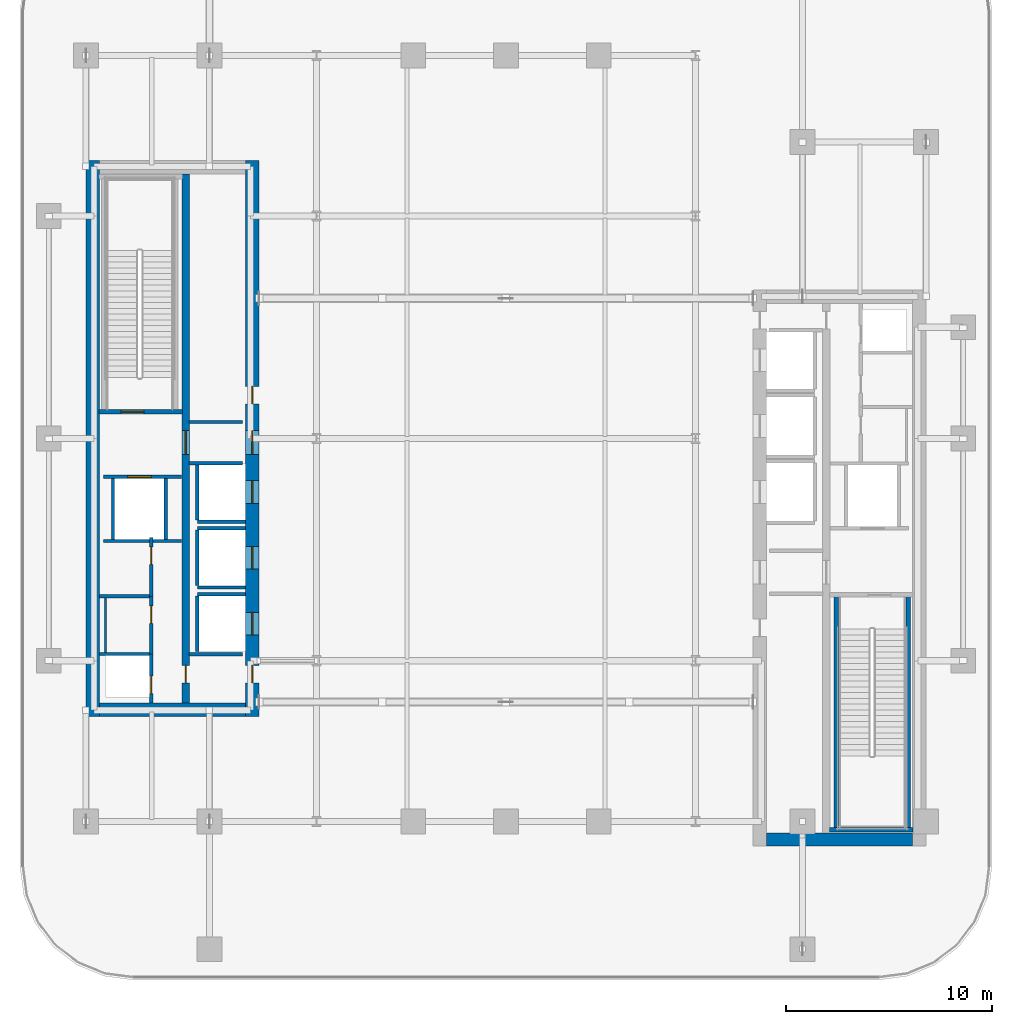
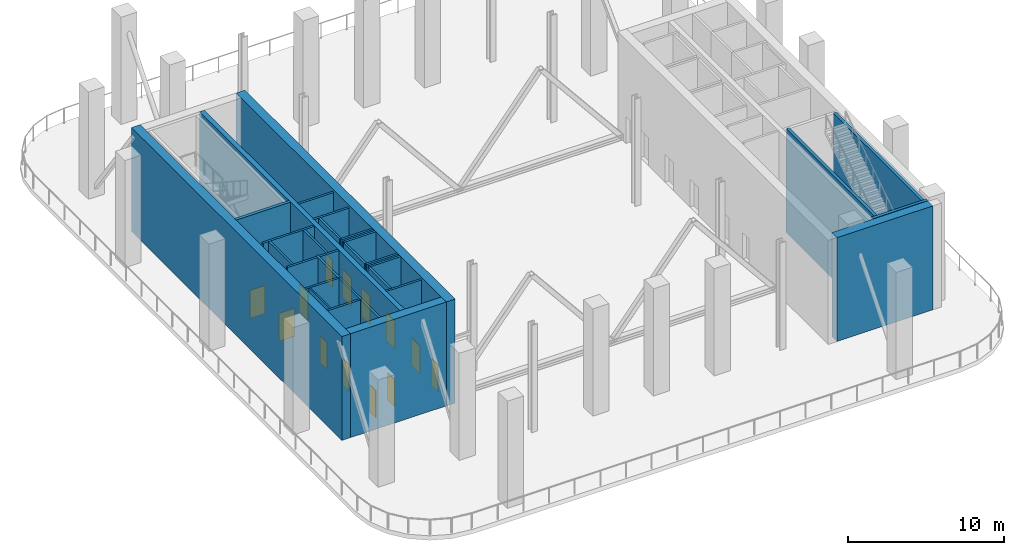
# One storey, part 5 of 13: 29 walls, 13 doors, 13 openings.
"""IFC4 building model written with IfcOpenShell, lengths in metres."""

from ifc_helpers import new_model, si_unit, direction, frame, frame_2d, origin, place, context, subcontext, project, spatial, rectangle, extrude, material, layer, layer_set, type_object, element, fill, save


model = new_model("IFC4")

# Units and contexts
model_context = context("Model", 3, precision=1e-05, world=origin(), true_north=direction((0.0, 1.0)))
body_context = subcontext(model_context, "Body", "Model", "MODEL_VIEW")
ifc_project = project(units=[si_unit("LENGTHUNIT", "METRE"), si_unit("AREAUNIT", "SQUARE_METRE"), si_unit("VOLUMEUNIT", "CUBIC_METRE"), si_unit("PLANEANGLEUNIT", "RADIAN"), si_unit("MASSUNIT", "GRAM", prefix="KILO")], contexts=[model_context])

# Site, building, storey
site_placement = place(None, origin())
site = spatial("IfcSite", under=ifc_project, at=site_placement, CompositionType="ELEMENT")
building_placement = place(site_placement, origin())
building = spatial("IfcBuilding", under=site, at=building_placement, Name="Khairoan Windgate Tower", CompositionType="ELEMENT")
storey_placement = place(building_placement, frame((0.0, 0.0, 152.0)))
storey = spatial("IfcBuildingStorey", under=building, at=storey_placement, Name="L35", CompositionType="ELEMENT", Elevation=152.0)

# Walls
ifc_material_1 = material(Name="Moisture-Resistant Gypsum Partition", Category="gypsum")
ifc_layer_1 = layer(ifc_material_1, 0.10009765625, Name="Moisture-Resistant Gypsum Partition")
ifc_layer_set_1 = layer_set([ifc_layer_1], Name="Moisture-Resistant Gypsum Partition")
wall_type_1 = type_object("IfcWallType", Name="Bathroom Wet-Area Partition Wall", PredefinedType="PARTITIONING", material=ifc_layer_set_1)
wall_1_placement = place(storey_placement, frame((-19.449951171875, -10.389892578125, 0.0), z_axis=(0.0, 0.0, 1.0), x_axis=(0.0, 1.0, 0.0)))
element("IfcWall", 1, at=wall_1_placement, inside=storey, type_object=wall_type_1, Name="L35 Wet Room Side Wall 011", PredefinedType="PARTITIONING", context=body_context, shape_type="SweptSolid", body=[
    extrude(rectangle(XDim=2.639892578125, YDim=0.10009765625, at=frame_2d((1.31982421875, 0.0))), origin(), (0.0, 0.0, 1.0), 8.139892578125),
])
ifc_material_2 = material(Name="Concrete C40/50", Category="concrete")
ifc_layer_2 = layer(ifc_material_2, 0.159912109375, Name="Concrete C40/50")
ifc_layer_set_2 = layer_set([ifc_layer_2], Name="Concrete C40/50")
wall_type_2 = type_object("IfcWallType", Name="Core and Hoistway Enclosure Wall", PredefinedType="STANDARD", material=ifc_layer_set_2)
wall_2_placement = place(storey_placement, frame((-14.989990234375, -4.0400390625, 0.0), z_axis=(0.0, 0.0, 1.0), x_axis=(1.0, 0.0, 0.0)))
element("IfcWall", 2, at=wall_2_placement, inside=storey, type_object=wall_type_2, Name="L35 Lift PL4 Hoistway Divider S", PredefinedType="STANDARD", context=body_context, shape_type="SweptSolid", body=[
    extrude(rectangle(XDim=2.340087890625, YDim=0.159912109375, at=frame_2d((1.169921875, 0.0))), origin(), (0.0, 0.0, 1.0), 8.139892578125),
])
wall_3_placement = place(storey_placement, frame((-14.989990234375, -3.949951171875, 0.0), z_axis=(0.0, 0.0, 1.0), x_axis=(0.0, 1.0, 0.0)))
element("IfcWall", 3, at=wall_3_placement, inside=storey, type_object=wall_type_2, Name="L35 Lift PL4 Hoistway Back Wall", PredefinedType="STANDARD", context=body_context, shape_type="SweptSolid", body=[
    extrude(rectangle(XDim=2.699951171875, YDim=0.159912109375, at=frame_2d((1.35009765625, 0.0))), origin(), (0.0, 0.0, 1.0), 8.139892578125),
])
for number, where, z_axis, x_axis, name in (
    (4, (-14.989990234375, -7.239990234375, 0.0), (0.0, 0.0, 1.0), (1.0, 0.0, 0.0), "L35 Lift PL5 Hoistway Divider S"),
    (5, (-14.989990234375, -4.360107421875, 0.0), (0.0, 0.0, 1.0), (1.0, 0.0, 0.0), "L35 Lift PL5 Hoistway Divider N"),
):
    element("IfcWall", number, at=place(storey_placement, frame(where, z_axis=z_axis, x_axis=x_axis)), inside=storey, type_object=wall_type_2, Name=name, PredefinedType="STANDARD", context=body_context, shape_type="SweptSolid", body=[
        extrude(rectangle(XDim=2.340087890625, YDim=0.159912109375, at=frame_2d((1.169921875, 0.0))), origin(), (0.0, 0.0, 1.0), 8.139892578125),
    ])
wall_4_placement = place(storey_placement, frame((-14.989990234375, -7.14990234375, 0.0), z_axis=(0.0, 0.0, 1.0), x_axis=(0.0, 1.0, 0.0)))
element("IfcWall", 6, at=wall_4_placement, inside=storey, type_object=wall_type_2, Name="L35 Lift PL5 Hoistway Back Wall", PredefinedType="STANDARD", context=body_context, shape_type="SweptSolid", body=[
    extrude(rectangle(XDim=2.699951171875, YDim=0.159912109375, at=frame_2d((1.35009765625, 0.0))), origin(), (0.0, 0.0, 1.0), 8.139892578125),
])
wall_5_placement = place(storey_placement, frame((-14.989990234375, -7.56005859375, 0.0), z_axis=(0.0, 0.0, 1.0), x_axis=(1.0, 0.0, 0.0)))
element("IfcWall", 7, at=wall_5_placement, inside=storey, type_object=wall_type_2, Name="L35 Lift PL6 Hoistway Divider N", PredefinedType="STANDARD", context=body_context, shape_type="SweptSolid", body=[
    extrude(rectangle(XDim=2.340087890625, YDim=0.159912109375, at=frame_2d((1.169921875, 0.0))), origin(), (0.0, 0.0, 1.0), 8.139892578125),
])
wall_6_placement = place(storey_placement, frame((-14.989990234375, -10.35009765625, 0.0), z_axis=(0.0, 0.0, 1.0), x_axis=(0.0, 1.0, 0.0)))
element("IfcWall", 8, at=wall_6_placement, inside=storey, type_object=wall_type_2, Name="L35 Lift PL6 Hoistway Back Wall", PredefinedType="STANDARD", context=body_context, shape_type="SweptSolid", body=[
    extrude(rectangle(XDim=2.7001953125, YDim=0.159912109375, at=frame_2d((1.35009765625, 0.0))), origin(), (0.0, 0.0, 1.0), 8.139892578125),
])

# Wall, opening, door
wall_7_placement = place(storey_placement, frame((-19.550048828125, -1.860107421875, 0.0), z_axis=(0.0, 0.0, 1.0), x_axis=(1.0, 0.0, 0.0)))
wall_7 = element("IfcWall", 9, at=wall_7_placement, inside=storey, type_object=wall_type_2, Name="L35 Core Shaft Wall SW-FL2-L35", PredefinedType="STANDARD", context=body_context, shape_type="SweptSolid", body=[
    extrude(rectangle(XDim=3.800048828125, YDim=0.159912109375, at=frame_2d((1.89990234375, 0.0))), origin(), (0.0, 0.0, 1.0), 8.139892578125),
])
opening_1_placement = place(wall_7_placement, frame((1.179931640625, 0.0, 0.0)))
opening_1 = element("IfcOpeningElement", 10, at=opening_1_placement, cuts=wall_7, Name="Opening LD-FL", PredefinedType="OPENING", context=body_context, shape_type="SweptSolid", body=[
    extrude(rectangle(XDim=1.14990234375, YDim=2.199951171875, at=frame_2d((0.574951171875, 1.10009765625))), frame((0.0, 0.08984375, 0.0), z_axis=(0.0, -1.0, 0.0), x_axis=(1.0, 0.0, 0.0)), (0.0, 0.0, 1.0), 0.179931640625),
])
ifc_material_3 = material(Name="Steel S355", Category="steel")
door_type_1 = type_object("IfcDoorType", Name="Firefighting Lift Sliding Landing Door LD-FL 1150x2200", OperationType="DOUBLE_DOOR_SLIDING", PredefinedType="DOOR", material=ifc_material_3)
door_1_placement = place(opening_1_placement, origin())
door_1 = element("IfcDoor", 11, at=door_1_placement, inside=storey, type_object=door_type_1, Name="L35 Firefighting Lift FL2 Landing Door", OperationType="DOUBLE_DOOR_SLIDING", OverallHeight=2.199951171875, OverallWidth=1.14990234375, PredefinedType="DOOR", context=body_context, shape_type="SweptSolid", body=[
    extrude(rectangle(XDim=1.14990234375, YDim=2.199951171875, at=frame_2d((0.574951171875, 1.10009765625))), frame((0.0, 0.02490234375, 0.0), z_axis=(0.0, -1.0, 0.0), x_axis=(1.0, 0.0, 0.0)), (0.0, 0.0, 1.0), 0.050048828125),
])
fill(opening_1, door_1)

# Walls
wall_8_placement = place(storey_placement, frame((-19.550048828125, -4.97998046875, 0.0), z_axis=(0.0, 0.0, 1.0), x_axis=(1.0, 0.0, 0.0)))
element("IfcWall", 12, at=wall_8_placement, inside=storey, type_object=wall_type_2, Name="L35 Core Shaft Wall SW-FL2B-L35", PredefinedType="STANDARD", context=body_context, shape_type="SweptSolid", body=[
    extrude(rectangle(XDim=3.800048828125, YDim=0.159912109375, at=frame_2d((1.89990234375, 0.0))), origin(), (0.0, 0.0, 1.0), 8.139892578125),
])
for number, where, z_axis, x_axis, name in (
    (13, (-19.080078125, -4.89990234375, 0.0), (0.0, 0.0, 1.0), (0.0, 1.0, 0.0), "L35 Core Shaft Wall SW-FL2W-L35"),
    (14, (-16.52001953125, -4.89990234375, 0.0), (0.0, 0.0, 1.0), (0.0, 1.0, 0.0), "L35 Core Shaft Wall SW-FL2E-L35"),
):
    element("IfcWall", number, at=place(storey_placement, frame(where, z_axis=z_axis, x_axis=x_axis)), inside=storey, type_object=wall_type_2, Name=name, PredefinedType="STANDARD", context=body_context, shape_type="SweptSolid", body=[
        extrude(rectangle(XDim=2.9599609375, YDim=0.159912109375, at=frame_2d((1.47998046875, 0.0))), origin(), (0.0, 0.0, 1.0), 8.139892578125),
    ])
for number, where, z_axis, x_axis, name in (
    (15, (-15.39990234375, 0.800048828125, 0.0), (0.0, 0.0, 1.0), (1.0, 0.0, 0.0), "L35 Core Shaft Wall SW-WV1-L35"),
    (16, (-15.39990234375, -1.199951171875, 0.0), (0.0, 0.0, 1.0), (1.0, 0.0, 0.0), "L35 Core Shaft Wall SW-WV2-L35"),
    (17, (-15.39990234375, -10.47998046875, 0.0), (0.0, 0.0, 1.0), (1.0, 0.0, 0.0), "L35 Core Shaft Wall SW-WSV-L35"),
):
    element("IfcWall", number, at=place(storey_placement, frame(where, z_axis=z_axis, x_axis=x_axis)), inside=storey, type_object=wall_type_2, Name=name, PredefinedType="STANDARD", context=body_context, shape_type="SweptSolid", body=[
        extrude(rectangle(XDim=2.599853515625, YDim=0.159912109375, at=frame_2d((1.2998046875, 0.0))), origin(), (0.0, 0.0, 1.0), 8.139892578125),
    ])

# Wall, opening, door
ifc_material_4 = material(Name="Concrete C40/50", Category="concrete")
ifc_layer_3 = layer(ifc_material_4, 0.159912109375, Name="Concrete C40/50")
ifc_layer_set_3 = layer_set([ifc_layer_3], Name="Concrete C40/50")
wall_type_3 = type_object("IfcWallType", Name="Plant and Refuge Compartment Wall", PredefinedType="PARTITIONING", material=ifc_layer_set_3)
wall_9_placement = place(storey_placement, frame((-17.22998046875, -12.85009765625, 0.0), z_axis=(0.0, 0.0, 1.0), x_axis=(0.0, 1.0, 0.0)))
wall_9 = element("IfcWall", 18, at=wall_9_placement, inside=storey, type_object=wall_type_3, Name="L35 Interior Partition 001", PredefinedType="PARTITIONING", context=body_context, shape_type="SweptSolid", body=[
    extrude(rectangle(XDim=2.380126953125, YDim=0.159912109375, at=frame_2d((1.18994140625, 0.0))), origin(), (0.0, 0.0, 1.0), 8.139892578125),
])
opening_2_placement = place(wall_9_placement, frame((0.4599609375, 0.0, 0.0)))
opening_2 = element("IfcOpeningElement", 19, at=opening_2_placement, cuts=wall_9, Name="Opening FD-SRV", PredefinedType="OPENING", context=body_context, shape_type="SweptSolid", body=[
    extrude(rectangle(XDim=0.85009765625, YDim=2.10009765625, at=frame_2d((0.425048828125, 1.050048828125))), frame((0.0, 0.08984375, 0.0), z_axis=(0.0, -1.0, 0.0), x_axis=(1.0, 0.0, 0.0)), (0.0, 0.0, 1.0), 0.179931640625),
])
ifc_material_5 = material(Name="Steel S355", Category="steel")
door_type_2 = type_object("IfcDoorType", Name="Core Service and Riser Fire Door FD-SRV 850x2100", OperationType="NOTDEFINED", PredefinedType="DOOR", material=ifc_material_5)
door_2_placement = place(opening_2_placement, origin())
door_2 = element("IfcDoor", 20, at=door_2_placement, inside=storey, type_object=door_type_2, Name="L35 L35-04-L35-05 Door", OperationType="SINGLE_SWING_LEFT", OverallHeight=2.10009765625, OverallWidth=0.85009765625, PredefinedType="DOOR", context=body_context, shape_type="SweptSolid", body=[
    extrude(rectangle(XDim=0.85009765625, YDim=2.10009765625, at=frame_2d((0.425048828125, 1.050048828125))), frame((0.0, 0.02490234375, 0.0), z_axis=(0.0, -1.0, 0.0), x_axis=(1.0, 0.0, 0.0)), (0.0, 0.0, 1.0), 0.050048828125),
])
fill(opening_2, door_2)

wall_10_placement = place(storey_placement, frame((-17.22998046875, -10.469970703125, 0.0), z_axis=(0.0, 0.0, 1.0), x_axis=(0.0, 1.0, 0.0)))
wall_10 = element("IfcWall", 21, at=wall_10_placement, inside=storey, type_object=wall_type_3, Name="L35 Interior Partition 002", PredefinedType="PARTITIONING", context=body_context, shape_type="SweptSolid", body=[
    extrude(rectangle(XDim=2.800048828125, YDim=0.159912109375, at=frame_2d((1.39990234375, 0.0))), origin(), (0.0, 0.0, 1.0), 8.139892578125),
])
opening_3_placement = place(wall_10_placement, frame((1.489990234375, 0.0, 0.0)))
opening_3 = element("IfcOpeningElement", 22, at=opening_3_placement, cuts=wall_10, Name="Opening FD-SRV", PredefinedType="OPENING", context=body_context, shape_type="SweptSolid", body=[
    extrude(rectangle(XDim=0.85009765625, YDim=2.10009765625, at=frame_2d((0.425048828125, 1.050048828125))), frame((0.0, 0.08984375, 0.0), z_axis=(0.0, -1.0, 0.0), x_axis=(1.0, 0.0, 0.0)), (0.0, 0.0, 1.0), 0.179931640625),
])
door_3_placement = place(opening_3_placement, origin())
door_3 = element("IfcDoor", 23, at=door_3_placement, inside=storey, type_object=door_type_2, Name="L35 L35-04-L35-06 Door", OperationType="SINGLE_SWING_RIGHT", OverallHeight=2.10009765625, OverallWidth=0.85009765625, PredefinedType="DOOR", context=body_context, shape_type="SweptSolid", body=[
    extrude(rectangle(XDim=0.85009765625, YDim=2.10009765625, at=frame_2d((0.425048828125, 1.050048828125))), frame((0.0, 0.02490234375, 0.0), z_axis=(0.0, -1.0, 0.0), x_axis=(1.0, 0.0, 0.0)), (0.0, 0.0, 1.0), 0.050048828125),
])
fill(opening_3, door_3)

wall_11_placement = place(storey_placement, frame((-17.22998046875, -7.669921875, 0.0), z_axis=(0.0, 0.0, 1.0), x_axis=(0.0, 1.0, 0.0)))
wall_11 = element("IfcWall", 24, at=wall_11_placement, inside=storey, type_object=wall_type_3, Name="L35 Interior Partition 003", PredefinedType="PARTITIONING", context=body_context, shape_type="SweptSolid", body=[
    extrude(rectangle(XDim=2.85986328125, YDim=0.159912109375, at=frame_2d((1.429931640625, 0.0))), origin(), (0.0, 0.0, 1.0), 8.139892578125),
])
opening_4_placement = place(wall_11_placement, frame((1.550048828125, 0.0, 0.0)))
opening_4 = element("IfcOpeningElement", 25, at=opening_4_placement, cuts=wall_11, Name="Opening FD-SRV", PredefinedType="OPENING", context=body_context, shape_type="SweptSolid", body=[
    extrude(rectangle(XDim=0.85009765625, YDim=2.10009765625, at=frame_2d((0.425048828125, 1.050048828125))), frame((0.0, 0.08984375, 0.0), z_axis=(0.0, -1.0, 0.0), x_axis=(1.0, 0.0, 0.0)), (0.0, 0.0, 1.0), 0.179931640625),
])
door_4_placement = place(opening_4_placement, origin())
door_4 = element("IfcDoor", 26, at=door_4_placement, inside=storey, type_object=door_type_2, Name="L35 L35-04-L35-07 Door", OperationType="SINGLE_SWING_LEFT", OverallHeight=2.10009765625, OverallWidth=0.85009765625, PredefinedType="DOOR", context=body_context, shape_type="SweptSolid", body=[
    extrude(rectangle(XDim=0.85009765625, YDim=2.10009765625, at=frame_2d((0.425048828125, 1.050048828125))), frame((0.0, 0.02490234375, 0.0), z_axis=(0.0, -1.0, 0.0), x_axis=(1.0, 0.0, 0.0)), (0.0, 0.0, 1.0), 0.050048828125),
])
fill(opening_4, door_4)

# Walls
for number, where, z_axis, x_axis, name in (
    (27, (-19.75, -10.469970703125, 0.0), (0.0, 0.0, 1.0), (1.0, 0.0, 0.0), "L35 Interior Partition 004"),
    (28, (-19.75, -7.669921875, 0.0), (0.0, 0.0, 1.0), (1.0, 0.0, 0.0), "L35 Interior Partition 005"),
):
    element("IfcWall", number, at=place(storey_placement, frame(where, z_axis=z_axis, x_axis=x_axis)), inside=storey, type_object=wall_type_3, Name=name, PredefinedType="PARTITIONING", context=body_context, shape_type="SweptSolid", body=[
        extrude(rectangle(XDim=2.43994140625, YDim=0.159912109375, at=frame_2d((1.219970703125, 0.0))), origin(), (0.0, 0.0, 1.0), 8.139892578125),
    ])
ifc_material_6 = material(Name="Concrete C60/75", Category="concrete")
ifc_layer_4 = layer(ifc_material_6, 0.64990234375, Name="Concrete C60/75")
ifc_layer_set_4 = layer_set([ifc_layer_4], Name="Concrete C60/75")
wall_type_4 = type_object("IfcWallType", Name="Shear Wall CW-E2 650mm", PredefinedType="SHEAR", material=ifc_layer_set_4)
wall_12_placement = place(storey_placement, frame((12.64990234375, -19.47509765625, 0.0), z_axis=(0.0, 0.0, 1.0), x_axis=(1.0, 0.0, 0.0)))
element("IfcWall", 29, at=wall_12_placement, inside=storey, type_object=wall_type_4, Name="E Core South Shear Wall L35", PredefinedType="SHEAR", context=body_context, shape_type="SweptSolid", body=[
    extrude(rectangle(XDim=7.10009765625, YDim=0.64990234375, at=frame_2d((3.550048828125, 0.0))), origin(), (0.0, 0.0, 1.0), 8.139892578125),
])
ifc_material_7 = material(Name="Concrete C60/75", Category="concrete")
ifc_layer_5 = layer(ifc_material_7, 0.64990234375, Name="Concrete C60/75")
ifc_layer_set_5 = layer_set([ifc_layer_5], Name="Concrete C60/75")
wall_type_5 = type_object("IfcWallType", Name="Shear Wall CW-W2 650mm", PredefinedType="SHEAR", material=ifc_layer_set_5)
wall_13_placement = place(storey_placement, frame((-20.074951171875, -13.5, 0.0), z_axis=(0.0, 0.0, 1.0), x_axis=(0.0, 1.0, 0.0)))
element("IfcWall", 30, at=wall_13_placement, inside=storey, type_object=wall_type_5, Name="W Core West Shear Wall L35", PredefinedType="SHEAR", context=body_context, shape_type="SweptSolid", body=[
    extrude(rectangle(XDim=27.0, YDim=0.64990234375, at=frame_2d((13.5, 0.0))), origin(), (0.0, 0.0, 1.0), 8.139892578125),
])

# Wall, openings, doors
wall_14_placement = place(storey_placement, frame((-12.324951171875, -13.5, 0.0), z_axis=(0.0, 0.0, 1.0), x_axis=(0.0, 1.0, 0.0)))
wall_14 = element("IfcWall", 31, at=wall_14_placement, inside=storey, type_object=wall_type_5, Name="W Core East Shear Wall L35", PredefinedType="SHEAR", context=body_context, shape_type="SweptSolid", body=[
    extrude(rectangle(XDim=27.0, YDim=0.64990234375, at=frame_2d((13.5, 0.0))), origin(), (0.0, 0.0, 1.0), 8.139892578125),
])
opening_5_placement = place(wall_14_placement, frame((10.35009765625, 0.0, 0.0)))
opening_5 = element("IfcOpeningElement", 32, at=opening_5_placement, cuts=wall_14, Name="Opening LD-PL", PredefinedType="OPENING", context=body_context, shape_type="SweptSolid", body=[
    extrude(rectangle(XDim=1.10009765625, YDim=2.199951171875, at=frame_2d((0.550048828125, 1.10009765625))), frame((0.0, 0.3349609375, 0.0), z_axis=(0.0, -1.0, 0.0), x_axis=(1.0, 0.0, 0.0)), (0.0, 0.0, 1.0), 0.669921875),
])
opening_6_placement = place(wall_14_placement, frame((7.14990234375, 0.0, 0.0)))
opening_6 = element("IfcOpeningElement", 33, at=opening_6_placement, cuts=wall_14, Name="Opening LD-PL", PredefinedType="OPENING", context=body_context, shape_type="SweptSolid", body=[
    extrude(rectangle(XDim=1.10009765625, YDim=2.199951171875, at=frame_2d((0.550048828125, 1.10009765625))), frame((0.0, 0.3349609375, 0.0), z_axis=(0.0, -1.0, 0.0), x_axis=(1.0, 0.0, 0.0)), (0.0, 0.0, 1.0), 0.669921875),
])
opening_7_placement = place(wall_14_placement, frame((3.949951171875, 0.0, 0.0)))
opening_7 = element("IfcOpeningElement", 34, at=opening_7_placement, cuts=wall_14, Name="Opening LD-PL", PredefinedType="OPENING", context=body_context, shape_type="SweptSolid", body=[
    extrude(rectangle(XDim=1.10009765625, YDim=2.199951171875, at=frame_2d((0.550048828125, 1.10009765625))), frame((0.0, 0.3349609375, 0.0), z_axis=(0.0, -1.0, 0.0), x_axis=(1.0, 0.0, 0.0)), (0.0, 0.0, 1.0), 0.669921875),
])
opening_8_placement = place(wall_14_placement, frame((15.175048828125, 0.0, 0.0)))
opening_8 = element("IfcOpeningElement", 35, at=opening_8_placement, cuts=wall_14, Name="Opening FD-SRV", PredefinedType="OPENING", context=body_context, shape_type="SweptSolid", body=[
    extrude(rectangle(XDim=0.85009765625, YDim=2.10009765625, at=frame_2d((0.425048828125, 1.050048828125))), frame((0.0, 0.3349609375, 0.0), z_axis=(0.0, -1.0, 0.0), x_axis=(1.0, 0.0, 0.0)), (0.0, 0.0, 1.0), 0.669921875),
])
opening_9_placement = place(wall_14_placement, frame((12.72509765625, 0.0, 0.0)))
opening_9 = element("IfcOpeningElement", 36, at=opening_9_placement, cuts=wall_14, Name="Opening FD-FFL", PredefinedType="OPENING", context=body_context, shape_type="SweptSolid", body=[
    extrude(rectangle(XDim=1.14990234375, YDim=2.199951171875, at=frame_2d((0.574951171875, 1.10009765625))), frame((0.0, 0.3349609375, 0.0), z_axis=(0.0, -1.0, 0.0), x_axis=(1.0, 0.0, 0.0)), (0.0, 0.0, 1.0), 0.669921875),
])
opening_10_placement = place(wall_14_placement, frame((1.625, 0.0, 0.0)))
opening_10 = element("IfcOpeningElement", 37, at=opening_10_placement, cuts=wall_14, Name="Opening FD-SRV", PredefinedType="OPENING", context=body_context, shape_type="SweptSolid", body=[
    extrude(rectangle(XDim=0.85009765625, YDim=2.10009765625, at=frame_2d((0.425048828125, 1.050048828125))), frame((0.0, 0.3349609375, 0.0), z_axis=(0.0, -1.0, 0.0), x_axis=(1.0, 0.0, 0.0)), (0.0, 0.0, 1.0), 0.669921875),
])
door_5_placement = place(opening_8_placement, origin())
door_5 = element("IfcDoor", 38, at=door_5_placement, inside=storey, type_object=door_type_2, Name="L35 Upper Core Room Door B1-1", OperationType="SINGLE_SWING_LEFT", OverallHeight=2.10009765625, OverallWidth=0.85009765625, PredefinedType="DOOR", context=body_context, shape_type="SweptSolid", body=[
    extrude(rectangle(XDim=0.85009765625, YDim=2.10009765625, at=frame_2d((0.425048828125, 1.050048828125))), frame((0.0, 0.02490234375, 0.0), z_axis=(0.0, -1.0, 0.0), x_axis=(1.0, 0.0, 0.0)), (0.0, 0.0, 1.0), 0.050048828125),
])
fill(opening_8, door_5)
door_6_placement = place(opening_10_placement, origin())
door_6 = element("IfcDoor", 39, at=door_6_placement, inside=storey, type_object=door_type_2, Name="L35 West Core Service Vestibule Outer Door", OperationType="SINGLE_SWING_LEFT", OverallHeight=2.10009765625, OverallWidth=0.85009765625, PredefinedType="DOOR", context=body_context, shape_type="SweptSolid", body=[
    extrude(rectangle(XDim=0.85009765625, YDim=2.10009765625, at=frame_2d((0.425048828125, 1.050048828125))), frame((0.0, 0.02490234375, 0.0), z_axis=(0.0, -1.0, 0.0), x_axis=(1.0, 0.0, 0.0)), (0.0, 0.0, 1.0), 0.050048828125),
])
fill(opening_10, door_6)
ifc_material_8 = material(Name="Steel S355", Category="steel")
door_type_3 = type_object("IfcDoorType", Name="Firefighting Lobby Fire Door FD-FFL 1150x2200", OperationType="NOTDEFINED", PredefinedType="DOOR", material=ifc_material_8)
door_7_placement = place(opening_9_placement, origin())
door_7 = element("IfcDoor", 40, at=door_7_placement, inside=storey, type_object=door_type_3, Name="L35 West Core Vestibule Entry Door", OperationType="SINGLE_SWING_LEFT", OverallHeight=2.199951171875, OverallWidth=1.14990234375, PredefinedType="DOOR", context=body_context, shape_type="SweptSolid", body=[
    extrude(rectangle(XDim=1.14990234375, YDim=2.199951171875, at=frame_2d((0.574951171875, 1.10009765625))), frame((0.0, 0.02490234375, 0.0), z_axis=(0.0, -1.0, 0.0), x_axis=(1.0, 0.0, 0.0)), (0.0, 0.0, 1.0), 0.050048828125),
])
fill(opening_9, door_7)
ifc_material_9 = material(Name="Anodised Bronze Aluminium 6063-T6", Category="aluminium")
door_type_4 = type_object("IfcDoorType", Name="Passenger Lift Sliding Landing Door LD-PL 1100x2200", OperationType="DOUBLE_DOOR_SLIDING", PredefinedType="DOOR", material=ifc_material_9)
door_8_placement = place(opening_5_placement, origin())
door_8 = element("IfcDoor", 41, at=door_8_placement, inside=storey, type_object=door_type_4, Name="L35 Lift PL4 Sliding Landing Door", OperationType="DOUBLE_DOOR_SLIDING", OverallHeight=2.199951171875, OverallWidth=1.10009765625, PredefinedType="DOOR", context=body_context, shape_type="SweptSolid", body=[
    extrude(rectangle(XDim=1.10009765625, YDim=2.199951171875, at=frame_2d((0.550048828125, 1.10009765625))), frame((0.0, 0.02490234375, 0.0), z_axis=(0.0, -1.0, 0.0), x_axis=(1.0, 0.0, 0.0)), (0.0, 0.0, 1.0), 0.050048828125),
])
fill(opening_5, door_8)
door_9_placement = place(opening_6_placement, origin())
door_9 = element("IfcDoor", 42, at=door_9_placement, inside=storey, type_object=door_type_4, Name="L35 Lift PL5 Sliding Landing Door", OperationType="DOUBLE_DOOR_SLIDING", OverallHeight=2.199951171875, OverallWidth=1.10009765625, PredefinedType="DOOR", context=body_context, shape_type="SweptSolid", body=[
    extrude(rectangle(XDim=1.10009765625, YDim=2.199951171875, at=frame_2d((0.550048828125, 1.10009765625))), frame((0.0, 0.02490234375, 0.0), z_axis=(0.0, -1.0, 0.0), x_axis=(1.0, 0.0, 0.0)), (0.0, 0.0, 1.0), 0.050048828125),
])
fill(opening_6, door_9)
door_10_placement = place(opening_7_placement, origin())
door_10 = element("IfcDoor", 43, at=door_10_placement, inside=storey, type_object=door_type_4, Name="L35 Lift PL6 Sliding Landing Door", OperationType="DOUBLE_DOOR_SLIDING", OverallHeight=2.199951171875, OverallWidth=1.10009765625, PredefinedType="DOOR", context=body_context, shape_type="SweptSolid", body=[
    extrude(rectangle(XDim=1.10009765625, YDim=2.199951171875, at=frame_2d((0.550048828125, 1.10009765625))), frame((0.0, 0.02490234375, 0.0), z_axis=(0.0, -1.0, 0.0), x_axis=(1.0, 0.0, 0.0)), (0.0, 0.0, 1.0), 0.050048828125),
])
fill(opening_7, door_10)

# Wall
wall_15_placement = place(storey_placement, frame((-19.75, -13.175048828125, 0.0), z_axis=(0.0, 0.0, 1.0), x_axis=(1.0, 0.0, 0.0)))
element("IfcWall", 44, at=wall_15_placement, inside=storey, type_object=wall_type_5, Name="W Core South Shear Wall L35", PredefinedType="SHEAR", context=body_context, shape_type="SweptSolid", body=[
    extrude(rectangle(XDim=7.10009765625, YDim=0.64990234375, at=frame_2d((3.550048828125, 0.0))), origin(), (0.0, 0.0, 1.0), 8.139892578125),
])

# Wall, openings, doors
ifc_material_10 = material(Name="Concrete C60/75", Category="concrete")
ifc_layer_6 = layer(ifc_material_10, 0.35009765625, Name="Concrete C60/75")
ifc_layer_set_6 = layer_set([ifc_layer_6], Name="Concrete C60/75")
wall_type_6 = type_object("IfcWallType", Name="Shear Wall SW-1 350mm", PredefinedType="SHEAR", material=ifc_layer_set_6)
wall_16_placement = place(storey_placement, frame((-15.550048828125, -12.85009765625, 0.0), z_axis=(0.0, 0.0, 1.0), x_axis=(0.0, 1.0, 0.0)))
wall_16 = element("IfcWall", 45, at=wall_16_placement, inside=storey, type_object=wall_type_6, Name="W Core Spine Shear Wall L35", PredefinedType="SHEAR", context=body_context, shape_type="SweptSolid", body=[
    extrude(rectangle(XDim=25.7001953125, YDim=0.35009765625, at=frame_2d((12.85009765625, 0.0))), origin(), (0.0, 0.0, 1.0), 8.139892578125),
])
opening_11_placement = place(wall_16_placement, frame((12.074951171875, 0.0, 0.0)))
opening_11 = element("IfcOpeningElement", 46, at=opening_11_placement, cuts=wall_16, Name="Opening FD-FFL", PredefinedType="OPENING", context=body_context, shape_type="SweptSolid", body=[
    extrude(rectangle(XDim=1.14990234375, YDim=2.199951171875, at=frame_2d((0.574951171875, 1.10009765625))), frame((0.0, 0.18505859375, 0.0), z_axis=(0.0, -1.0, 0.0), x_axis=(1.0, 0.0, 0.0)), (0.0, 0.0, 1.0), 0.3701171875),
])
opening_12_placement = place(wall_16_placement, frame((0.97509765625, 0.0, 0.0)))
opening_12 = element("IfcOpeningElement", 47, at=opening_12_placement, cuts=wall_16, Name="Opening FD-SRV", PredefinedType="OPENING", context=body_context, shape_type="SweptSolid", body=[
    extrude(rectangle(XDim=0.85009765625, YDim=2.10009765625, at=frame_2d((0.425048828125, 1.050048828125))), frame((0.0, 0.18505859375, 0.0), z_axis=(0.0, -1.0, 0.0), x_axis=(1.0, 0.0, 0.0)), (0.0, 0.0, 1.0), 0.3701171875),
])
door_11_placement = place(opening_12_placement, origin())
door_11 = element("IfcDoor", 48, at=door_11_placement, inside=storey, type_object=door_type_2, Name="L35 West Core Service Passage Inner Door", OperationType="SINGLE_SWING_RIGHT", OverallHeight=2.10009765625, OverallWidth=0.85009765625, PredefinedType="DOOR", context=body_context, shape_type="SweptSolid", body=[
    extrude(rectangle(XDim=0.85009765625, YDim=2.10009765625, at=frame_2d((0.425048828125, 1.050048828125))), frame((0.0, 0.02490234375, 0.0), z_axis=(0.0, -1.0, 0.0), x_axis=(1.0, 0.0, 0.0)), (0.0, 0.0, 1.0), 0.050048828125),
])
fill(opening_12, door_11)
door_12_placement = place(opening_11_placement, origin())
door_12 = element("IfcDoor", 49, at=door_12_placement, inside=storey, type_object=door_type_3, Name="L35 West Firefighting Lobby Fire Door", OperationType="SINGLE_SWING_RIGHT", OverallHeight=2.199951171875, OverallWidth=1.14990234375, PredefinedType="DOOR", context=body_context, shape_type="SweptSolid", body=[
    extrude(rectangle(XDim=1.14990234375, YDim=2.199951171875, at=frame_2d((0.574951171875, 1.10009765625))), frame((0.0, 0.02490234375, 0.0), z_axis=(0.0, -1.0, 0.0), x_axis=(1.0, 0.0, 0.0)), (0.0, 0.0, 1.0), 0.050048828125),
])
fill(opening_11, door_12)

# Walls
ifc_material_11 = material(Name="Concrete C50/60", Category="concrete")
ifc_layer_7 = layer(ifc_material_11, 0.219970703125, Name="Concrete C50/60")
ifc_layer_set_7 = layer_set([ifc_layer_7], Name="Concrete C50/60")
wall_type_7 = type_object("IfcWallType", Name="Shear Wall SW-ST 220mm", PredefinedType="SHEAR", material=ifc_layer_set_7)
for number, where, z_axis, x_axis, name in (
    (50, (16.0400390625, -19.010009765625, 0.0), (0.0, 0.0, 1.0), (0.0, 1.0, 0.0), "L35 Stair ST1 West Bearing Wall"),
    (51, (19.530029296875, -19.010009765625, 0.0), (0.0, 0.0, 1.0), (0.0, 1.0, 0.0), "L35 Stair ST1 East Bearing Wall"),
):
    element("IfcWall", number, at=place(storey_placement, frame(where, z_axis=z_axis, x_axis=x_axis)), inside=storey, type_object=wall_type_7, Name=name, PredefinedType="SHEAR", context=body_context, shape_type="SweptSolid", body=[
        extrude(rectangle(XDim=11.419921875, YDim=0.219970703125, at=frame_2d((5.7099609375, 0.0))), origin(), (0.0, 0.0, 1.0), 8.139892578125),
    ])
wall_17_placement = place(storey_placement, frame((15.705078125, -19.010009765625, 0.0), z_axis=(0.0, 0.0, 1.0), x_axis=(1.0, 0.0, 0.0)))
element("IfcWall", 52, at=wall_17_placement, inside=storey, type_object=wall_type_7, Name="L35 Stair ST1 South Bearing Wall", PredefinedType="SHEAR", context=body_context, shape_type="SweptSolid", body=[
    extrude(rectangle(XDim=4.06494140625, YDim=0.219970703125, at=frame_2d((2.032470703125, 0.0))), origin(), (0.0, 0.0, 1.0), 8.139892578125),
])

# Wall, opening, door
wall_18_placement = place(storey_placement, frame((-19.77001953125, 1.2900390625, 0.0), z_axis=(0.0, 0.0, 1.0), x_axis=(1.0, 0.0, 0.0)))
wall_18 = element("IfcWall", 53, at=wall_18_placement, inside=storey, type_object=wall_type_7, Name="L35 Stair ST2 South Bearing Wall", PredefinedType="SHEAR", context=body_context, shape_type="SweptSolid", body=[
    extrude(rectangle(XDim=4.06494140625, YDim=0.219970703125, at=frame_2d((2.032470703125, 0.0))), origin(), (0.0, 0.0, 1.0), 8.139892578125),
])
opening_13_placement = place(wall_18_placement, frame((1.080078125, 0.0, 0.0)))
opening_13 = element("IfcOpeningElement", 54, at=opening_13_placement, cuts=wall_18, Name="Opening FD-ST", PredefinedType="OPENING", context=body_context, shape_type="SweptSolid", body=[
    extrude(rectangle(XDim=1.10009765625, YDim=2.199951171875, at=frame_2d((0.550048828125, 1.10009765625))), frame((0.0, 0.119873046875, 0.0), z_axis=(0.0, -1.0, 0.0), x_axis=(1.0, 0.0, 0.0)), (0.0, 0.0, 1.0), 0.239990234375),
])
ifc_material_12 = material(Name="Steel S355", Category="steel")
door_type_5 = type_object("IfcDoorType", Name="Smokeproof Stair Fire Door FD-ST 1100x2200", OperationType="NOTDEFINED", PredefinedType="DOOR", material=ifc_material_12)
door_13_placement = place(opening_13_placement, origin())
door_13 = element("IfcDoor", 55, at=door_13_placement, inside=storey, type_object=door_type_5, Name="L35 Stair ST2 Fire Door", OperationType="SINGLE_SWING_RIGHT", OverallHeight=2.199951171875, OverallWidth=1.10009765625, PredefinedType="DOOR", context=body_context, shape_type="SweptSolid", body=[
    extrude(rectangle(XDim=1.10009765625, YDim=2.199951171875, at=frame_2d((0.550048828125, 1.10009765625))), frame((0.0, 0.02490234375, 0.0), z_axis=(0.0, -1.0, 0.0), x_axis=(1.0, 0.0, 0.0)), (0.0, 0.0, 1.0), 0.050048828125),
])
fill(opening_13, door_13)

save(model, "model.ifc")
